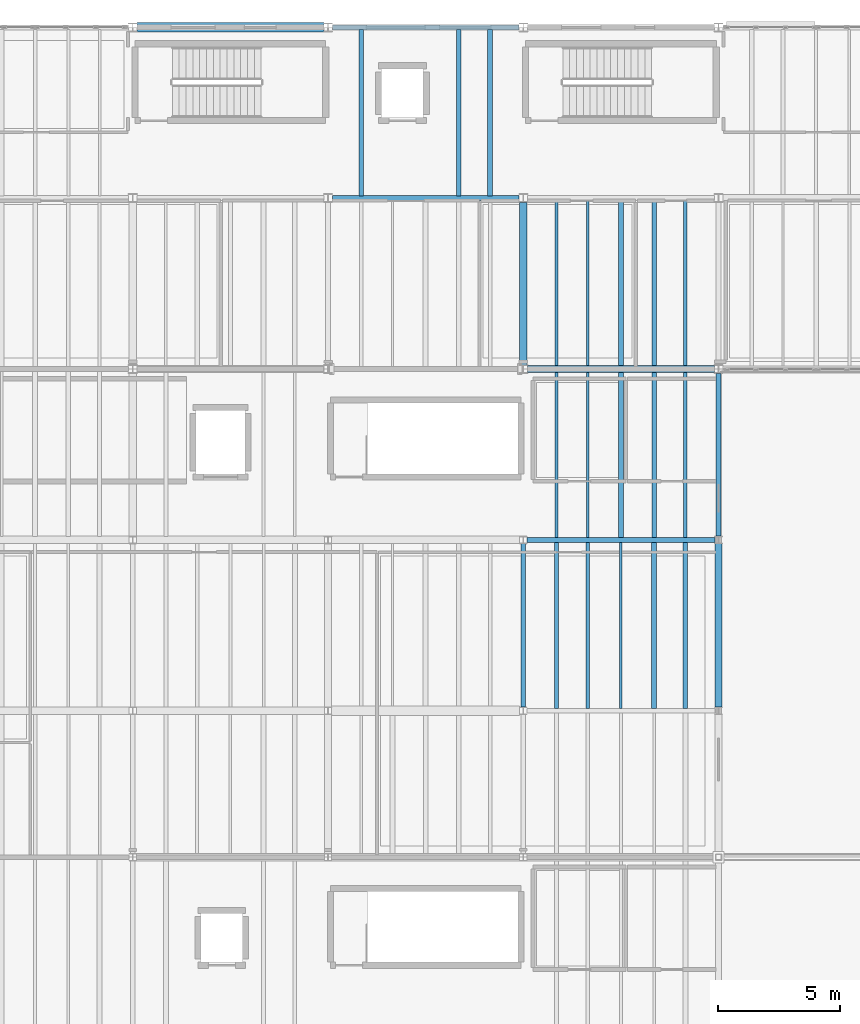
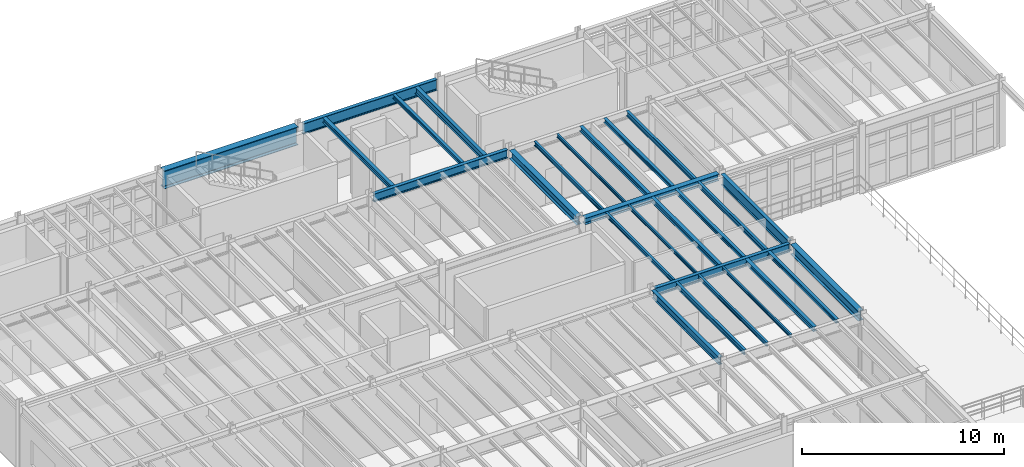
# One storey, part 21 of 78: 27 beams.
"""IFC4 building model written with IfcOpenShell, lengths in metres."""

import ifcopenshell
import ifcopenshell.guid

model = None  # the IFC model being written
_history = None  # IfcOwnerHistory: only IFC2X3 demands one
_inside = {}  # id of a spatial element -> (the spatial element, [elements in it])
_under = {}  # id of a project, library or spatial element -> (it, [spatial elements below it])
_declared = {}  # id of a project -> (the project, [libraries it declares])
_typed = {}  # id of a type object -> (the type object, [elements of that type])
_made_of = {}  # id of a material, layer set ... -> (it, [elements and type objects made of it])


def new_model(schema):
    """Start an empty IFC model of exactly this schema.

    Asked for "IFC4X3", IfcOpenShell would pick the latest addendum, in which some entities
    have other attributes; the version numbers below select the first issue.
    IFC2X3 requires an IfcOwnerHistory on every rooted entity: one is made here for all.
    """
    global model, _history
    if schema == "IFC4X3":
        model = ifcopenshell.file(schema_version=(4, 3, 0, 0))
    else:
        model = ifcopenshell.file(schema=schema)
    _inside.clear()
    _under.clear()
    _declared.clear()
    _typed.clear()
    _made_of.clear()
    _history = None
    if model.schema == "IFC2X3":
        org = make("IfcOrganization", Name="unknown")
        user = make(
            "IfcPersonAndOrganization",
            ThePerson=make("IfcPerson", FamilyName="unknown"),
            TheOrganization=org,
        )
        app = make(
            "IfcApplication",
            ApplicationDeveloper=org,
            Version="unknown",
            ApplicationFullName="unknown",
            ApplicationIdentifier="unknown",
        )
        _history = make(
            "IfcOwnerHistory",
            OwningUser=user,
            OwningApplication=app,
            ChangeAction="ADDED",
            CreationDate=0,
        )
    return model


def make(cls, **values):
    """One entity of the class cls with the attributes given. An attribute that is None is left unset."""
    return model.create_entity(
        cls, **{name: value for name, value in values.items() if value is not None}
    )


def rooted(cls, **values):
    """An entity with a GlobalId (a new one), such as an element, a storey or a relation."""
    return make(cls, GlobalId=ifcopenshell.guid.new(), OwnerHistory=_history, **values)


def si_unit(unit_type, name, prefix=None):
    """IfcSIUnit, for example si_unit("LENGTHUNIT", "METRE", prefix="MILLI")."""
    return make("IfcSIUnit", UnitType=unit_type, Prefix=prefix, Name=name)


def assignment(units):
    """IfcUnitAssignment: the units of a project."""
    return None if units is None else make("IfcUnitAssignment", Units=units)


def point(xyz):
    """IfcCartesianPoint."""
    return None if xyz is None else make("IfcCartesianPoint", Coordinates=xyz)


def direction(xyz):
    """IfcDirection."""
    return None if xyz is None else make("IfcDirection", DirectionRatios=xyz)


def frame(location, z_axis=None, x_axis=None):
    """IfcAxis2Placement3D, a coordinate frame: its origin and axes. An axis left out is left unset."""
    return make(
        "IfcAxis2Placement3D",
        Location=point(location),
        Axis=direction(z_axis),
        RefDirection=direction(x_axis),
    )


def frame_2d(location, x_axis=None):
    """IfcAxis2Placement2D, a coordinate frame in the plane: its origin and x axis."""
    return make(
        "IfcAxis2Placement2D", Location=point(location), RefDirection=direction(x_axis)
    )


def origin():
    """The frame at (0, 0, 0) with its axes left unset."""
    return frame((0.0, 0.0, 0.0))


def origin_2d():
    """The frame at (0, 0) in the plane with its x axis left unset."""
    return frame_2d((0.0, 0.0))


def place(relative_to, where):
    """IfcLocalPlacement: puts the frame where relative to a parent placement (None: the world)."""
    return make(
        "IfcLocalPlacement", PlacementRelTo=relative_to, RelativePlacement=where
    )


def context(
    kind, dimensions, precision=None, world=None, true_north=None, identifier=None
):
    """IfcGeometricRepresentationContext, for example the 3D "Model" context."""
    return make(
        "IfcGeometricRepresentationContext",
        ContextIdentifier=identifier,
        ContextType=kind,
        CoordinateSpaceDimension=dimensions,
        Precision=precision,
        WorldCoordinateSystem=world,
        TrueNorth=true_north,
    )


def subcontext(parent, identifier, kind, view, scale=None):
    """IfcGeometricRepresentationSubContext, for example "Body" below "Model"."""
    return make(
        "IfcGeometricRepresentationSubContext",
        ContextIdentifier=identifier,
        ContextType=kind,
        ParentContext=parent,
        TargetScale=scale,
        TargetView=view,
    )


def project(units=None, contexts=None):
    """IfcProject with its units and contexts."""
    return rooted(
        "IfcProject",
        Name="project",
        RepresentationContexts=contexts,
        UnitsInContext=assignment(units),
    )


def spatial(cls, under=None, at=None, **own):
    """A site, building, storey or space (cls), placed at a placement, below another one or the project."""
    s = rooted(cls, ObjectPlacement=at, **own)
    if under is not None:
        _under.setdefault(under.id(), (under, []))[1].append(s)
    return s


def profile(cls, at=None, kind="AREA", **sizes):
    """A parametric profile (cls). Its sizes go by their IFC names, for example OverallWidth=200.0."""
    return make(cls, ProfileType=kind, Position=at, **sizes)


def i_section(**sizes):
    """IfcIShapeProfileDef."""
    return profile("IfcIShapeProfileDef", **sizes)


def extrude(swept, where, along, depth):
    """IfcExtrudedAreaSolid: the profile swept, set in the frame where, extruded along a direction by depth."""
    return make(
        "IfcExtrudedAreaSolid",
        SweptArea=swept,
        Position=where,
        ExtrudedDirection=direction(along),
        Depth=depth,
    )


def shape(context_of_items, identifier, shape_type, items):
    """IfcShapeRepresentation: the items that make up one representation, for example the "Body"."""
    return make(
        "IfcShapeRepresentation",
        ContextOfItems=context_of_items,
        RepresentationIdentifier=identifier,
        RepresentationType=shape_type,
        Items=items,
    )


def material(Name=None, Category=None):
    """IfcMaterial."""
    return make("IfcMaterial", Name=Name, Category=Category)


def material_profile(
    of_material, cross_section, Name=None, Category=None, Priority=None
):
    """IfcMaterialProfile: a cross section and its material."""
    return make(
        "IfcMaterialProfile",
        Name=Name,
        Material=of_material,
        Profile=cross_section,
        Priority=Priority,
        Category=Category,
    )


def profile_set(profiles, Name=None, composite=None):
    """IfcMaterialProfileSet."""
    return make(
        "IfcMaterialProfileSet",
        Name=Name,
        MaterialProfiles=profiles,
        CompositeProfile=composite,
    )


def made_of(thing, what):
    """Note that an element or type object is made of a material, layer set ...; save() writes the relation."""
    if what is not None:
        _made_of.setdefault(what.id(), (what, []))[1].append(thing)
    return thing


def type_object(cls, material=None, **own):
    """A type object (cls), such as IfcWallType, which elements share."""
    return made_of(rooted(cls, **own), material)


def element(
    cls,
    number,
    at=None,
    inside=None,
    cuts=None,
    type_object=None,
    material=None,
    context=None,
    identifier="Body",
    shape_type=None,
    held_by="IfcProductDefinitionShape",
    body=None,
    shapes=None,
    **own,
):
    """One element of the class cls, such as IfcWall. Its Tag is "e" and its number.

    at: its placement. inside: the storey or other place that contains it. cuts: it is an
    opening in that element (IfcRelVoidsElement). A single representation is given by context,
    identifier, shape_type and body (its items); several are given by shapes. held_by: the class
    of the entity that holds the representations. save() writes the other relations.
    """
    e = rooted(cls, Tag="e%d" % number, ObjectPlacement=at, **own)
    if body is not None:
        shapes = [shape(context, identifier, shape_type, body)]
    if shapes is not None:
        e.Representation = make(held_by, Representations=shapes)
    if inside is not None:
        _inside.setdefault(inside.id(), (inside, []))[1].append(e)
    if cuts is not None:
        rooted(
            "IfcRelVoidsElement", RelatingBuildingElement=cuts, RelatedOpeningElement=e
        )
    if type_object is not None:
        _typed.setdefault(type_object.id(), (type_object, []))[1].append(e)
    return made_of(e, material)


def aggregate(whole, parts):
    """IfcRelAggregates: a whole, such as a stair, and the parts it consists of."""
    return rooted("IfcRelAggregates", RelatingObject=whole, RelatedObjects=parts)


def save(model, path):
    """Write the relations noted so far, then the file.

    IfcRelAggregates (storeys below a building ...), IfcRelContainedInSpatialStructure (elements
    in a storey), IfcRelDefinesByType, IfcRelAssociatesMaterial and IfcRelDeclares: one each for
    every whole, place, type object, material and project.
    """
    for whole, parts in _under.values():
        aggregate(whole, parts)
    for where, things in _inside.values():
        rooted(
            "IfcRelContainedInSpatialStructure",
            RelatedElements=things,
            RelatingStructure=where,
        )
    for kind, things in _typed.values():
        rooted("IfcRelDefinesByType", RelatedObjects=things, RelatingType=kind)
    for what, things in _made_of.values():
        rooted("IfcRelAssociatesMaterial", RelatedObjects=things, RelatingMaterial=what)
    for by, libraries in _declared.values():
        rooted("IfcRelDeclares", RelatingContext=by, RelatedDefinitions=libraries)
    model.write(path)


model = new_model("IFC4")

# Units and contexts
model_context = context("Model", 3, precision=1e-05, world=origin(), true_north=direction((0.0, 1.0)))
body_context = subcontext(model_context, "Body", "Model", "MODEL_VIEW")
ifc_project = project(units=[si_unit("LENGTHUNIT", "METRE"), si_unit("AREAUNIT", "SQUARE_METRE"), si_unit("VOLUMEUNIT", "CUBIC_METRE"), si_unit("PLANEANGLEUNIT", "RADIAN"), si_unit("MASSUNIT", "GRAM", prefix="KILO"), si_unit("THERMODYNAMICTEMPERATUREUNIT", "KELVIN"), si_unit("POWERUNIT", "WATT")], contexts=[model_context])

# Site, building, storey
site_placement = place(None, origin())
site = spatial("IfcSite", under=ifc_project, at=site_placement, CompositionType="ELEMENT")
building_placement = place(site_placement, origin())
building = spatial("IfcBuilding", under=site, at=building_placement, Name="Zhenchuan Central Fire Station", CompositionType="ELEMENT")
storey_placement = place(building_placement, frame((0.0, 0.0, 5.85009765625)))
storey = spatial("IfcBuildingStorey", under=building, at=storey_placement, Name="L02", CompositionType="ELEMENT", Elevation=5.85009765625)

# Beams
ifc_material = material(Name="Steel Q355B", Category="steel")
ifc_material_profile_1 = material_profile(ifc_material, i_section(OverallWidth=0.300048828125, OverallDepth=0.389892578125, WebThickness=0.010009765625, FlangeThickness=0.01611328125, FilletRadius=0.02001953125, at=origin_2d()), Name="HM 390x300")
ifc_profile_set_1 = profile_set([ifc_material_profile_1], Name="Steel Q355B")
beam_type_1 = type_object("IfcBeamType", Name="BM-HM390-INT", PredefinedType="BEAM", material=ifc_profile_set_1)
beam_1_placement = place(storey_placement, frame((32.175048828125, 42.5, 3.804931640625), z_axis=(1.0, 0.0, 0.0), x_axis=(0.0, 1.0, 0.0)))
element("IfcBeam", 1, at=beam_1_placement, inside=storey, type_object=beam_type_1, Name="L03 Girder EW 0246", PredefinedType="BEAM", context=body_context, shape_type="SweptSolid", body=[
    extrude(i_section(OverallWidth=0.300048828125, OverallDepth=0.389892578125, WebThickness=0.010009765625, FlangeThickness=0.01611328125, FilletRadius=0.02001953125, at=origin_2d()), origin(), (0.0, 0.0, 1.0), 7.64990234375),
])
ifc_material_profile_2 = material_profile(ifc_material, i_section(OverallWidth=0.300048828125, OverallDepth=0.5, WebThickness=0.010986328125, FlangeThickness=0.01806640625, FilletRadius=0.02197265625, at=origin_2d()), Name="HM 500x300")
ifc_profile_set_2 = profile_set([ifc_material_profile_2], Name="Steel Q355B")
beam_type_2 = type_object("IfcBeamType", Name="BM-HM500-INT", PredefinedType="BEAM", material=ifc_profile_set_2)
beam_2_placement = place(storey_placement, frame((32.0, 42.675048828125, 3.75), z_axis=(0.0, 1.0, 0.0), x_axis=(-1.0, 0.0, 0.0)))
element("IfcBeam", 2, at=beam_2_placement, inside=storey, type_object=beam_type_2, Name="L03 Girder NS 0303", PredefinedType="BEAM", context=body_context, shape_type="SweptSolid", body=[
    extrude(i_section(OverallWidth=0.300048828125, OverallDepth=0.5, WebThickness=0.010986328125, FlangeThickness=0.01806640625, FilletRadius=0.02197265625, at=origin_2d()), origin(), (0.0, 0.0, 1.0), 6.64990234375),
])
ifc_material_profile_3 = material_profile(ifc_material, i_section(OverallWidth=0.300048828125, OverallDepth=0.587890625, WebThickness=0.011962890625, FlangeThickness=0.02001953125, FilletRadius=0.02392578125, at=origin_2d()), Name="HM 588x300")
ifc_profile_set_3 = profile_set([ifc_material_profile_3], Name="Steel Q355B")
beam_type_3 = type_object("IfcBeamType", Name="BM-HM588", PredefinedType="BEAM", material=ifc_profile_set_3)
beam_3_placement = place(storey_placement, frame((40.0, 28.64990234375, 3.705810546875), z_axis=(0.0, 1.0, 0.0), x_axis=(-1.0, 0.0, 0.0)))
element("IfcBeam", 3, at=beam_3_placement, inside=storey, type_object=beam_type_3, Name="L03 Girder NS 0308", PredefinedType="BEAM", context=body_context, shape_type="SweptSolid", body=[
    extrude(i_section(OverallWidth=0.300048828125, OverallDepth=0.587890625, WebThickness=0.011962890625, FlangeThickness=0.02001953125, FilletRadius=0.02392578125, at=origin_2d()), origin(), (0.0, 0.0, 1.0), 6.7001953125),
])
ifc_material_profile_4 = material_profile(ifc_material, i_section(OverallWidth=0.199951171875, OverallDepth=0.449951171875, WebThickness=0.009033203125, FlangeThickness=0.013916015625, FilletRadius=0.01806640625, at=origin_2d()), Name="HN 450x200")
ifc_profile_set_4 = profile_set([ifc_material_profile_4], Name="Steel Q355B")
beam_type_4 = type_object("IfcBeamType", Name="BM-HN450", PredefinedType="BEAM", material=ifc_profile_set_4)
beam_4_placement = place(storey_placement, frame((32.0, 28.64990234375, 3.77490234375), z_axis=(0.0, 1.0, 0.0), x_axis=(-1.0, 0.0, 0.0)))
element("IfcBeam", 4, at=beam_4_placement, inside=storey, type_object=beam_type_4, Name="L03 Girder NS 0302", PredefinedType="BEAM", context=body_context, shape_type="SweptSolid", body=[
    extrude(i_section(OverallWidth=0.199951171875, OverallDepth=0.449951171875, WebThickness=0.009033203125, FlangeThickness=0.013916015625, FilletRadius=0.01806640625, at=origin_2d()), origin(), (0.0, 0.0, 1.0), 6.7001953125),
])
ifc_material_profile_5 = material_profile(ifc_material, i_section(OverallWidth=0.199951171875, OverallDepth=0.5, WebThickness=0.010009765625, FlangeThickness=0.01611328125, FilletRadius=0.02001953125, at=origin_2d()), Name="HN 500x200")
ifc_profile_set_5 = profile_set([ifc_material_profile_5], Name="Steel Q355B")
beam_type_5 = type_object("IfcBeamType", Name="BM-HN500-INT", PredefinedType="BEAM", material=ifc_profile_set_5)
beam_5_placement = place(storey_placement, frame((24.175048828125, 49.5, 3.75), z_axis=(1.0, 0.0, 0.0), x_axis=(0.0, 1.0, 0.0)))
element("IfcBeam", 5, at=beam_5_placement, inside=storey, type_object=beam_type_5, Name="L03 Girder EW 0256", PredefinedType="BEAM", context=body_context, shape_type="SweptSolid", body=[
    extrude(i_section(OverallWidth=0.199951171875, OverallDepth=0.5, WebThickness=0.010009765625, FlangeThickness=0.01611328125, FilletRadius=0.02001953125, at=origin_2d()), origin(), (0.0, 0.0, 1.0), 7.64990234375),
])
ifc_material_profile_6 = material_profile(ifc_material, i_section(OverallWidth=0.199951171875, OverallDepth=0.64990234375, WebThickness=0.011962890625, FlangeThickness=0.02001953125, FilletRadius=0.02197265625, at=origin_2d()), Name="HN 650x200")
ifc_profile_set_6 = profile_set([ifc_material_profile_6], Name="Steel Q355B")
beam_type_6 = type_object("IfcBeamType", Name="BM-HN650", PredefinedType="BEAM", material=ifc_profile_set_6)
beam_6_placement = place(storey_placement, frame((40.0, 35.64990234375, 3.6748046875), z_axis=(0.0, 1.0, 0.0), x_axis=(-1.0, 0.0, 0.0)))
element("IfcBeam", 6, at=beam_6_placement, inside=storey, type_object=beam_type_6, Name="L03 Girder NS 0309", PredefinedType="BEAM", context=body_context, shape_type="SweptSolid", body=[
    extrude(i_section(OverallWidth=0.199951171875, OverallDepth=0.64990234375, WebThickness=0.011962890625, FlangeThickness=0.02001953125, FilletRadius=0.02197265625, at=origin_2d()), origin(), (0.0, 0.0, 1.0), 6.675048828125),
])
ifc_material_profile_7 = material_profile(ifc_material, i_section(OverallWidth=0.199951171875, OverallDepth=0.64990234375, WebThickness=0.011962890625, FlangeThickness=0.02001953125, FilletRadius=0.02197265625, at=origin_2d()), Name="HN 650x200")
ifc_profile_set_7 = profile_set([ifc_material_profile_7], Name="Steel Q355B")
beam_type_7 = type_object("IfcBeamType", Name="BM-HN650-EXT", PredefinedType="BEAM", material=ifc_profile_set_7)
beam_7_placement = place(storey_placement, frame((24.175048828125, 56.5, 3.6748046875), z_axis=(1.0, 0.0, 0.0), x_axis=(0.0, 1.0, 0.0)))
element("IfcBeam", 7, at=beam_7_placement, inside=storey, type_object=beam_type_7, Name="L03 Girder EW 0267", PredefinedType="BEAM", context=body_context, shape_type="SweptSolid", body=[
    extrude(i_section(OverallWidth=0.199951171875, OverallDepth=0.64990234375, WebThickness=0.011962890625, FlangeThickness=0.02001953125, FilletRadius=0.02197265625, at=origin_2d()), origin(), (0.0, 0.0, 1.0), 7.64990234375),
])
ifc_material_profile_8 = material_profile(ifc_material, i_section(OverallWidth=0.3798828125, OverallDepth=1.10009765625, WebThickness=0.02001953125, FlangeThickness=0.035888671875, FilletRadius=0.02392578125, at=origin_2d()), Name="PG 1100x380")
ifc_profile_set_8 = profile_set([ifc_material_profile_8], Name="Steel Q355B")
beam_type_8 = type_object("IfcBeamType", Name="BM-PG1100-EXT", PredefinedType="BEAM", material=ifc_profile_set_8)
beam_8_placement = place(storey_placement, frame((16.175048828125, 56.5, 3.449951171875), z_axis=(1.0, 0.0, 0.0), x_axis=(0.0, 1.0, 0.0)))
element("IfcBeam", 8, at=beam_8_placement, inside=storey, type_object=beam_type_8, Name="L03 Girder EW 0266", PredefinedType="BEAM", context=body_context, shape_type="SweptSolid", body=[
    extrude(i_section(OverallWidth=0.3798828125, OverallDepth=1.10009765625, WebThickness=0.02001953125, FlangeThickness=0.035888671875, FilletRadius=0.02392578125, at=origin_2d()), origin(), (0.0, 0.0, 1.0), 7.64990234375),
])
ifc_material_profile_9 = material_profile(ifc_material, i_section(OverallWidth=0.175048828125, OverallDepth=0.243896484375, WebThickness=0.007080078125, FlangeThickness=0.010986328125, FilletRadius=0.012939453125, at=origin_2d()), Name="HM 244x175")
ifc_profile_set_9 = profile_set([ifc_material_profile_9], Name="Steel Q355B")
beam_type_9 = type_object("IfcBeamType", Name="JS-HM244", PredefinedType="JOIST", material=ifc_profile_set_9)
beam_9_placement = place(storey_placement, frame((38.639892578125, 28.596923828125, 3.8779296875), z_axis=(0.0, 1.0, 0.0), x_axis=(-1.0, 0.0, 0.0)))
element("IfcBeam", 9, at=beam_9_placement, inside=storey, type_object=beam_type_9, Name="L03 Secondary Joist 0441", PredefinedType="JOIST", context=body_context, shape_type="SweptSolid", body=[
    extrude(i_section(OverallWidth=0.175048828125, OverallDepth=0.243896484375, WebThickness=0.007080078125, FlangeThickness=0.010986328125, FilletRadius=0.012939453125, at=origin_2d()), origin(), (0.0, 0.0, 1.0), 6.80615234375),
])
for number, where, z_axis, x_axis, name in (
    (10, (37.360107421875, 35.596923828125, 3.8779296875), (0.0, 1.0, 0.0), (-1.0, 0.0, 0.0), "L03 Secondary Joist 0470"),
    (11, (37.360107421875, 42.64697265625, 3.8779296875), (0.0, 1.0, 0.0), (-1.0, 0.0, 0.0), "L03 Secondary Joist 0515"),
):
    element("IfcBeam", number, at=place(storey_placement, frame(where, z_axis=z_axis, x_axis=x_axis)), inside=storey, type_object=beam_type_9, Name=name, PredefinedType="JOIST", context=body_context, shape_type="SweptSolid", body=[
        extrude(i_section(OverallWidth=0.175048828125, OverallDepth=0.243896484375, WebThickness=0.007080078125, FlangeThickness=0.010986328125, FilletRadius=0.012939453125, at=origin_2d()), origin(), (0.0, 0.0, 1.0), 6.756103515625),
    ])
beam_10_placement = place(storey_placement, frame((29.360107421875, 49.596923828125, 3.8779296875), z_axis=(0.0, 1.0, 0.0), x_axis=(-1.0, 0.0, 0.0)))
element("IfcBeam", 12, at=beam_10_placement, inside=storey, type_object=beam_type_9, Name="L03 Secondary Joist 0553", PredefinedType="JOIST", context=body_context, shape_type="SweptSolid", body=[
    extrude(i_section(OverallWidth=0.175048828125, OverallDepth=0.243896484375, WebThickness=0.007080078125, FlangeThickness=0.010986328125, FilletRadius=0.012939453125, at=origin_2d()), origin(), (0.0, 0.0, 1.0), 6.80615234375),
])
ifc_material_profile_10 = material_profile(ifc_material, i_section(OverallWidth=0.199951171875, OverallDepth=0.2939453125, WebThickness=0.008056640625, FlangeThickness=0.011962890625, FilletRadius=0.01611328125, at=origin_2d()), Name="HM 294x200")
ifc_profile_set_10 = profile_set([ifc_material_profile_10], Name="Steel Q355B")
beam_type_10 = type_object("IfcBeamType", Name="JS-HM294", PredefinedType="JOIST", material=ifc_profile_set_10)
beam_11_placement = place(storey_placement, frame((37.360107421875, 28.596923828125, 3.852783203125), z_axis=(0.0, 1.0, 0.0), x_axis=(-1.0, 0.0, 0.0)))
element("IfcBeam", 13, at=beam_11_placement, inside=storey, type_object=beam_type_10, Name="L03 Secondary Joist 0440", PredefinedType="JOIST", context=body_context, shape_type="SweptSolid", body=[
    extrude(i_section(OverallWidth=0.199951171875, OverallDepth=0.2939453125, WebThickness=0.008056640625, FlangeThickness=0.011962890625, FilletRadius=0.01611328125, at=origin_2d()), origin(), (0.0, 0.0, 1.0), 6.80615234375),
])
for number, where, z_axis, x_axis, name in (
    (14, (36.0, 35.596923828125, 3.852783203125), (0.0, 1.0, 0.0), (-1.0, 0.0, 0.0), "L03 Secondary Joist 0469"),
    (15, (36.0, 42.64697265625, 3.852783203125), (0.0, 1.0, 0.0), (-1.0, 0.0, 0.0), "L03 Secondary Joist 0514"),
):
    element("IfcBeam", number, at=place(storey_placement, frame(where, z_axis=z_axis, x_axis=x_axis)), inside=storey, type_object=beam_type_10, Name=name, PredefinedType="JOIST", context=body_context, shape_type="SweptSolid", body=[
        extrude(i_section(OverallWidth=0.199951171875, OverallDepth=0.2939453125, WebThickness=0.008056640625, FlangeThickness=0.011962890625, FilletRadius=0.01611328125, at=origin_2d()), origin(), (0.0, 0.0, 1.0), 6.756103515625),
    ])
beam_12_placement = place(storey_placement, frame((25.360107421875, 49.596923828125, 3.852783203125), z_axis=(0.0, 1.0, 0.0), x_axis=(-1.0, 0.0, 0.0)))
element("IfcBeam", 16, at=beam_12_placement, inside=storey, type_object=beam_type_10, Name="L03 Secondary Joist 0552", PredefinedType="JOIST", context=body_context, shape_type="SweptSolid", body=[
    extrude(i_section(OverallWidth=0.199951171875, OverallDepth=0.2939453125, WebThickness=0.008056640625, FlangeThickness=0.011962890625, FilletRadius=0.01611328125, at=origin_2d()), origin(), (0.0, 0.0, 1.0), 6.80615234375),
])
ifc_material_profile_11 = material_profile(ifc_material, i_section(OverallWidth=0.10009765625, OverallDepth=0.199951171875, WebThickness=0.005615234375, FlangeThickness=0.008056640625, FilletRadius=0.010986328125, at=origin_2d()), Name="HN 200x100")
ifc_profile_set_11 = profile_set([ifc_material_profile_11], Name="Steel Q355B")
beam_type_11 = type_object("IfcBeamType", Name="JS-HN200", PredefinedType="JOIST", material=ifc_profile_set_11)
beam_13_placement = place(storey_placement, frame((36.0, 28.596923828125, 3.89990234375), z_axis=(0.0, 1.0, 0.0), x_axis=(-1.0, 0.0, 0.0)))
element("IfcBeam", 17, at=beam_13_placement, inside=storey, type_object=beam_type_11, Name="L03 Secondary Joist 0439", PredefinedType="JOIST", context=body_context, shape_type="SweptSolid", body=[
    extrude(i_section(OverallWidth=0.10009765625, OverallDepth=0.199951171875, WebThickness=0.005615234375, FlangeThickness=0.008056640625, FilletRadius=0.010986328125, at=origin_2d()), origin(), (0.0, 0.0, 1.0), 6.80615234375),
])
for number, where, z_axis, x_axis, name in (
    (18, (34.639892578125, 35.596923828125, 3.89990234375), (0.0, 1.0, 0.0), (-1.0, 0.0, 0.0), "L03 Secondary Joist 0468"),
    (19, (34.639892578125, 42.64697265625, 3.89990234375), (0.0, 1.0, 0.0), (-1.0, 0.0, 0.0), "L03 Secondary Joist 0513"),
):
    element("IfcBeam", number, at=place(storey_placement, frame(where, z_axis=z_axis, x_axis=x_axis)), inside=storey, type_object=beam_type_11, Name=name, PredefinedType="JOIST", context=body_context, shape_type="SweptSolid", body=[
        extrude(i_section(OverallWidth=0.10009765625, OverallDepth=0.199951171875, WebThickness=0.005615234375, FlangeThickness=0.008056640625, FilletRadius=0.010986328125, at=origin_2d()), origin(), (0.0, 0.0, 1.0), 6.756103515625),
    ])
ifc_material_profile_12 = material_profile(ifc_material, i_section(OverallWidth=0.125, OverallDepth=0.25, WebThickness=0.006103515625, FlangeThickness=0.009033203125, FilletRadius=0.011962890625, at=origin_2d()), Name="HN 250x125")
ifc_profile_set_12 = profile_set([ifc_material_profile_12], Name="Steel Q355B")
beam_type_12 = type_object("IfcBeamType", Name="JS-HN250", PredefinedType="JOIST", material=ifc_profile_set_12)
beam_14_placement = place(storey_placement, frame((34.639892578125, 28.596923828125, 3.875), z_axis=(0.0, 1.0, 0.0), x_axis=(-1.0, 0.0, 0.0)))
element("IfcBeam", 20, at=beam_14_placement, inside=storey, type_object=beam_type_12, Name="L03 Secondary Joist 0438", PredefinedType="JOIST", context=body_context, shape_type="SweptSolid", body=[
    extrude(i_section(OverallWidth=0.125, OverallDepth=0.25, WebThickness=0.006103515625, FlangeThickness=0.009033203125, FilletRadius=0.011962890625, at=origin_2d()), origin(), (0.0, 0.0, 1.0), 6.80615234375),
])
for number, where, z_axis, x_axis, name in (
    (21, (33.360107421875, 35.596923828125, 3.875), (0.0, 1.0, 0.0), (-1.0, 0.0, 0.0), "L03 Secondary Joist 0467"),
    (22, (33.360107421875, 42.64697265625, 3.875), (0.0, 1.0, 0.0), (-1.0, 0.0, 0.0), "L03 Secondary Joist 0512"),
):
    element("IfcBeam", number, at=place(storey_placement, frame(where, z_axis=z_axis, x_axis=x_axis)), inside=storey, type_object=beam_type_12, Name=name, PredefinedType="JOIST", context=body_context, shape_type="SweptSolid", body=[
        extrude(i_section(OverallWidth=0.125, OverallDepth=0.25, WebThickness=0.006103515625, FlangeThickness=0.009033203125, FilletRadius=0.011962890625, at=origin_2d()), origin(), (0.0, 0.0, 1.0), 6.756103515625),
    ])
ifc_material_profile_13 = material_profile(ifc_material, i_section(OverallWidth=0.14990234375, OverallDepth=0.300048828125, WebThickness=0.006591796875, FlangeThickness=0.009033203125, FilletRadius=0.012939453125, at=origin_2d()), Name="HN 300x150")
ifc_profile_set_13 = profile_set([ifc_material_profile_13], Name="Steel Q355B")
beam_type_13 = type_object("IfcBeamType", Name="JS-HN300", PredefinedType="JOIST", material=ifc_profile_set_13)
beam_15_placement = place(storey_placement, frame((33.360107421875, 28.596923828125, 3.849853515625), z_axis=(0.0, 1.0, 0.0), x_axis=(-1.0, 0.0, 0.0)))
element("IfcBeam", 23, at=beam_15_placement, inside=storey, type_object=beam_type_13, Name="L03 Secondary Joist 0437", PredefinedType="JOIST", context=body_context, shape_type="SweptSolid", body=[
    extrude(i_section(OverallWidth=0.14990234375, OverallDepth=0.300048828125, WebThickness=0.006591796875, FlangeThickness=0.009033203125, FilletRadius=0.012939453125, at=origin_2d()), origin(), (0.0, 0.0, 1.0), 6.80615234375),
])
for number, where, z_axis, x_axis, name in (
    (24, (38.639892578125, 35.596923828125, 3.849853515625), (0.0, 1.0, 0.0), (-1.0, 0.0, 0.0), "L03 Secondary Joist 0471"),
    (25, (38.639892578125, 42.64697265625, 3.849853515625), (0.0, 1.0, 0.0), (-1.0, 0.0, 0.0), "L03 Secondary Joist 0516"),
):
    element("IfcBeam", number, at=place(storey_placement, frame(where, z_axis=z_axis, x_axis=x_axis)), inside=storey, type_object=beam_type_13, Name=name, PredefinedType="JOIST", context=body_context, shape_type="SweptSolid", body=[
        extrude(i_section(OverallWidth=0.14990234375, OverallDepth=0.300048828125, WebThickness=0.006591796875, FlangeThickness=0.009033203125, FilletRadius=0.012939453125, at=origin_2d()), origin(), (0.0, 0.0, 1.0), 6.756103515625),
    ])
ifc_material_profile_14 = material_profile(ifc_material, i_section(OverallWidth=0.199951171875, OverallDepth=0.39990234375, WebThickness=0.008056640625, FlangeThickness=0.012939453125, FilletRadius=0.01611328125, at=origin_2d()), Name="HN 400x200")
ifc_profile_set_14 = profile_set([ifc_material_profile_14], Name="Steel Q355B")
beam_type_14 = type_object("IfcBeamType", Name="JS-HN400", PredefinedType="JOIST", material=ifc_profile_set_14)
beam_16_placement = place(storey_placement, frame((30.639892578125, 49.596923828125, 3.7998046875), z_axis=(0.0, 1.0, 0.0), x_axis=(-1.0, 0.0, 0.0)))
element("IfcBeam", 26, at=beam_16_placement, inside=storey, type_object=beam_type_14, Name="L03 Secondary Joist 0554", PredefinedType="JOIST", context=body_context, shape_type="SweptSolid", body=[
    extrude(i_section(OverallWidth=0.199951171875, OverallDepth=0.39990234375, WebThickness=0.008056640625, FlangeThickness=0.012939453125, FilletRadius=0.01611328125, at=origin_2d()), origin(), (0.0, 0.0, 1.0), 6.80615234375),
])
ifc_material_profile_15 = material_profile(ifc_material, i_section(OverallWidth=0.199951171875, OverallDepth=0.5, WebThickness=0.010009765625, FlangeThickness=0.01611328125, FilletRadius=0.02001953125, at=origin_2d()), Name="HN 500x200")
ifc_profile_set_15 = profile_set([ifc_material_profile_15], Name="Steel Q355B")
beam_type_15 = type_object("IfcBeamType", Name="SP-HN500-INT", PredefinedType="SPANDREL", material=ifc_profile_set_15)
beam_17_placement = place(storey_placement, frame((32.14990234375, 35.5, 3.75), z_axis=(1.0, 0.0, 0.0), x_axis=(0.0, 1.0, 0.0)))
element("IfcBeam", 27, at=beam_17_placement, inside=storey, type_object=beam_type_15, Name="L03 Girder EW 0233", PredefinedType="SPANDREL", context=body_context, shape_type="SweptSolid", body=[
    extrude(i_section(OverallWidth=0.199951171875, OverallDepth=0.5, WebThickness=0.010009765625, FlangeThickness=0.01611328125, FilletRadius=0.02001953125, at=origin_2d()), origin(), (0.0, 0.0, 1.0), 7.7001953125),
])

save(model, "model.ifc")
